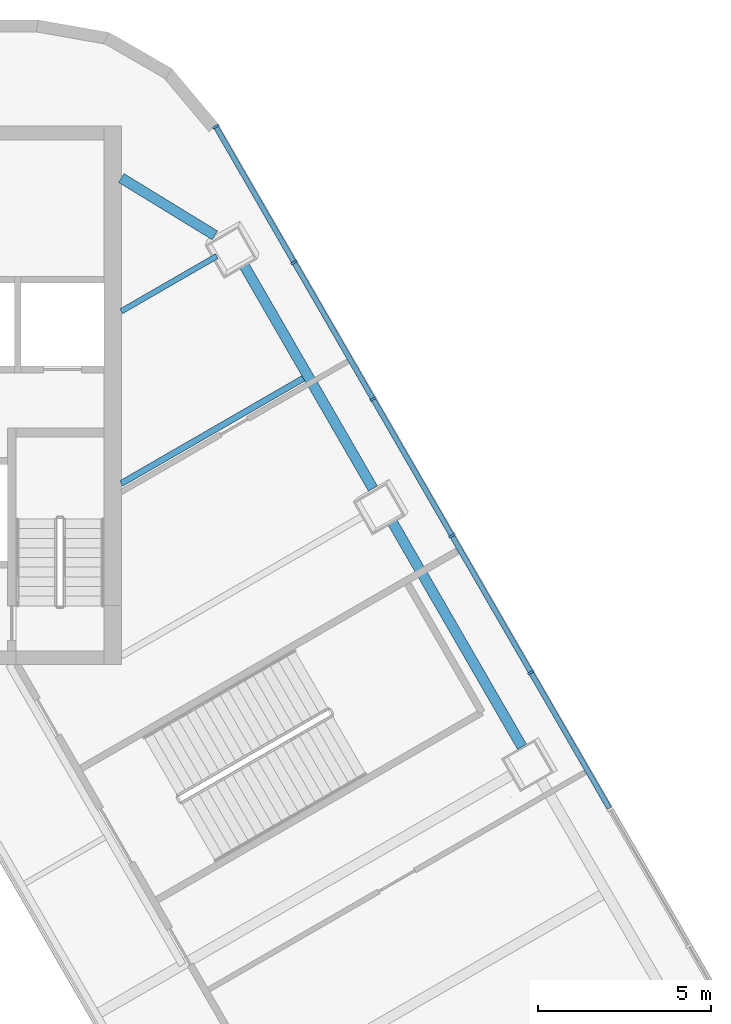
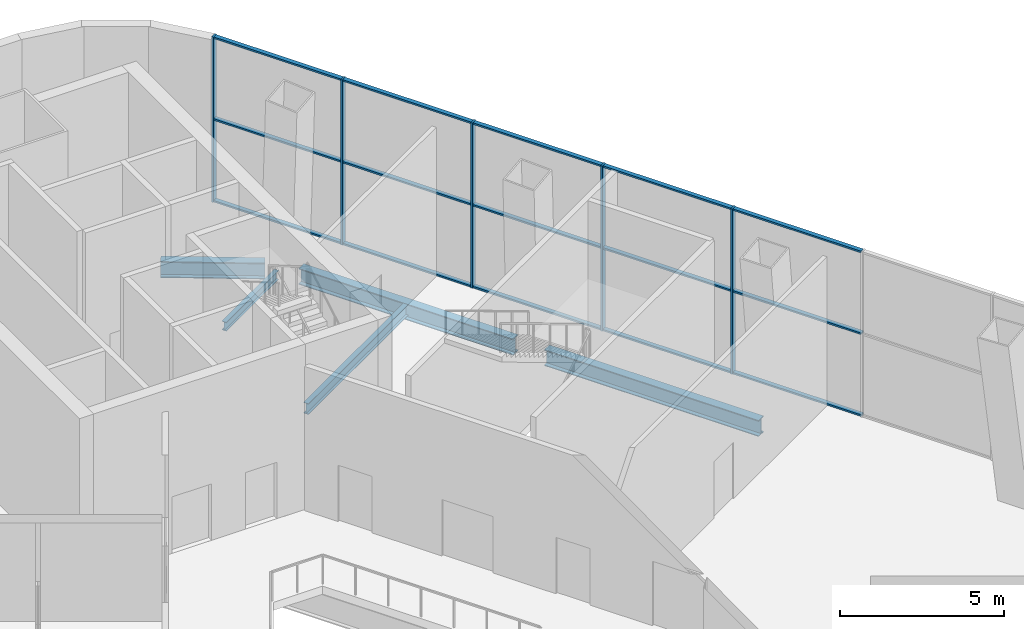
# One storey, part 8 of 17: 20 members, 5 beams, 1 element without a shape of its own.
"""IFC4 building model written with IfcOpenShell, lengths in metres."""

from ifc_helpers import new_model, si_unit, direction, frame, origin, origin_2d, place, context, subcontext, project, spatial, rectangle, i_section, extrude, material, layer, layer_set, material_profile, profile_set, type_object, element, aggregate, save


model = new_model("IFC4")

# Units and contexts
model_context = context("Model", 3, precision=1e-05, world=origin(), true_north=direction((0.0, 1.0)))
body_context = subcontext(model_context, "Body", "Model", "MODEL_VIEW")
ifc_project = project(units=[si_unit("LENGTHUNIT", "METRE"), si_unit("AREAUNIT", "SQUARE_METRE"), si_unit("VOLUMEUNIT", "CUBIC_METRE"), si_unit("PLANEANGLEUNIT", "RADIAN"), si_unit("MASSUNIT", "GRAM", prefix="KILO")], contexts=[model_context])

# Site, building, storey
site_placement = place(None, origin())
site = spatial("IfcSite", under=ifc_project, at=site_placement, CompositionType="ELEMENT")
building_placement = place(site_placement, origin())
building = spatial("IfcBuilding", under=site, at=building_placement, Name="Apuvela Tower Hotel", CompositionType="ELEMENT")
storey_placement = place(building_placement, frame((0.0, 0.0, 9.0)))
storey = spatial("IfcBuildingStorey", under=building, at=storey_placement, Name="L01", CompositionType="ELEMENT", Elevation=9.0)

# Curtain wall, members
ifc_material_1 = material(Name="Aluminium 6063-T6, dark bronze anodised", Category="aluminium")
ifc_layer = layer(ifc_material_1, 0.199951171875)
ifc_layer_set = layer_set([ifc_layer], Name="ENV-CW-P")
curtain_wall_type = type_object("IfcCurtainWallType", Name="ENV-CW-P", PredefinedType="NOTDEFINED", material=ifc_layer_set)
curtain_wall_placement = place(storey_placement, origin())
curtain_wall = element("IfcCurtainWall", 1, at=curtain_wall_placement, inside=storey, type_object=curtain_wall_type, Name="Curtain wall CW-P NE L01", PredefinedType="NOTDEFINED")
ifc_material_profile_1 = material_profile(ifc_material_1, rectangle(XDim=0.199951171875, YDim=0.06494140625, at=origin_2d()), Name="AL 65x200")
ifc_profile_set_1 = profile_set([ifc_material_profile_1], Name="Aluminium 6063-T6, dark bronze anodised")
member_type_1 = type_object("IfcMemberType", Name="ENV-MULLION-65x200", PredefinedType="MULLION", material=ifc_profile_set_1)
member_1_placement = place(storey_placement, frame((17.370361328125, 12.670166015625, 0.0), z_axis=(0.0, 0.0, 1.0), x_axis=(-0.866025428062, -0.49999995795, 0.0)))
member_1 = element("IfcMember", 2, at=member_1_placement, type_object=member_type_1, Name="CW-P mullion 6", PredefinedType="MULLION", context=body_context, shape_type="SweptSolid", body=[
    extrude(rectangle(XDim=0.199951171875, YDim=0.06494140625, at=origin_2d()), origin(), (0.0, 0.0, 1.0), 6.14990234375),
])
member_2_placement = place(storey_placement, frame((15.0830078125, 16.63232421875, 0.0), z_axis=(0.0, 0.0, 1.0), x_axis=(-0.866025428062, -0.49999995795, 0.0)))
member_2 = element("IfcMember", 3, at=member_2_placement, type_object=member_type_1, Name="CW-P mullion 7", PredefinedType="MULLION", context=body_context, shape_type="SweptSolid", body=[
    extrude(rectangle(XDim=0.199951171875, YDim=0.06494140625, at=origin_2d()), origin(), (0.0, 0.0, 1.0), 6.14990234375),
])
member_3_placement = place(storey_placement, frame((12.79541015625, 20.594482421875, 0.0), z_axis=(0.0, 0.0, 1.0), x_axis=(-0.866025428062, -0.49999995795, 0.0)))
member_3 = element("IfcMember", 4, at=member_3_placement, type_object=member_type_1, Name="CW-P mullion 8", PredefinedType="MULLION", context=body_context, shape_type="SweptSolid", body=[
    extrude(rectangle(XDim=0.199951171875, YDim=0.06494140625, at=origin_2d()), origin(), (0.0, 0.0, 1.0), 6.14990234375),
])
member_4_placement = place(storey_placement, frame((10.5078125, 24.556396484375, 0.0), z_axis=(0.0, 0.0, 1.0), x_axis=(-0.866025428062, -0.49999995795, 0.0)))
member_4 = element("IfcMember", 5, at=member_4_placement, type_object=member_type_1, Name="CW-P mullion 9", PredefinedType="MULLION", context=body_context, shape_type="SweptSolid", body=[
    extrude(rectangle(XDim=0.199951171875, YDim=0.06494140625, at=origin_2d()), origin(), (0.0, 0.0, 1.0), 6.14990234375),
])
member_5_placement = place(storey_placement, frame((8.236572265625, 28.490234375, 0.0), z_axis=(0.0, 0.0, 1.0), x_axis=(-0.866025428062, -0.49999995795, 0.0)))
member_5 = element("IfcMember", 6, at=member_5_placement, type_object=member_type_1, Name="CW-P mullion 10", PredefinedType="MULLION", context=body_context, shape_type="SweptSolid", body=[
    extrude(rectangle(XDim=0.199951171875, YDim=0.06494140625, at=origin_2d()), origin(), (0.0, 0.0, 1.0), 6.14990234375),
])
ifc_material_profile_2 = material_profile(ifc_material_1, rectangle(XDim=0.14990234375, YDim=0.06494140625, at=origin_2d()), Name="AL 65x150 transom")
ifc_profile_set_2 = profile_set([ifc_material_profile_2], Name="Aluminium 6063-T6, dark bronze anodised")
member_type_2 = type_object("IfcMemberType", Name="ENV-TRANSOM-65x150", PredefinedType="USERDEFINED", material=ifc_profile_set_2)
member_6_placement = place(storey_placement, frame((19.6416015625, 8.736328125, 0.032470703125), z_axis=(-0.499981745636, 0.86603594269, 0.0), x_axis=(-0.86603594269, -0.499981745636, 0.0)))
member_6 = element("IfcMember", 7, at=member_6_placement, type_object=member_type_2, Name="CW-P transom 5.1", ObjectType="TRANSOM", PredefinedType="USERDEFINED", context=body_context, shape_type="SweptSolid", body=[
    extrude(rectangle(XDim=0.14990234375, YDim=0.06494140625, at=origin_2d()), origin(), (0.0, 0.0, 1.0), 4.510009765625),
])
member_7_placement = place(storey_placement, frame((19.6416015625, 8.736328125, 3.074951171875), z_axis=(-0.499981745636, 0.86603594269, 0.0), x_axis=(-0.86603594269, -0.499981745636, 0.0)))
member_7 = element("IfcMember", 8, at=member_7_placement, type_object=member_type_2, Name="CW-P transom 5.2", ObjectType="TRANSOM", PredefinedType="USERDEFINED", context=body_context, shape_type="SweptSolid", body=[
    extrude(rectangle(XDim=0.14990234375, YDim=0.06494140625, at=origin_2d()), origin(), (0.0, 0.0, 1.0), 4.510009765625),
])
member_8_placement = place(storey_placement, frame((19.6416015625, 8.736328125, 6.117431640625), z_axis=(-0.499981745636, 0.86603594269, 0.0), x_axis=(-0.86603594269, -0.499981745636, 0.0)))
member_8 = element("IfcMember", 9, at=member_8_placement, type_object=member_type_2, Name="CW-P transom 5.3", ObjectType="TRANSOM", PredefinedType="USERDEFINED", context=body_context, shape_type="SweptSolid", body=[
    extrude(rectangle(XDim=0.14990234375, YDim=0.06494140625, at=origin_2d()), origin(), (0.0, 0.0, 1.0), 4.510009765625),
])
member_9_placement = place(storey_placement, frame((17.354248046875, 12.698486328125, 0.032470703125), z_axis=(-0.500022345486, 0.866012502228, 0.0), x_axis=(-0.866012502228, -0.500022345486, 0.0)))
member_9 = element("IfcMember", 10, at=member_9_placement, type_object=member_type_2, Name="CW-P transom 6.1", ObjectType="TRANSOM", PredefinedType="USERDEFINED", context=body_context, shape_type="SweptSolid", body=[
    extrude(rectangle(XDim=0.14990234375, YDim=0.06494140625, at=origin_2d()), origin(), (0.0, 0.0, 1.0), 4.510009765625),
])
member_10_placement = place(storey_placement, frame((17.354248046875, 12.698486328125, 3.074951171875), z_axis=(-0.500022345486, 0.866012502228, 0.0), x_axis=(-0.866012502228, -0.500022345486, 0.0)))
member_10 = element("IfcMember", 11, at=member_10_placement, type_object=member_type_2, Name="CW-P transom 6.2", ObjectType="TRANSOM", PredefinedType="USERDEFINED", context=body_context, shape_type="SweptSolid", body=[
    extrude(rectangle(XDim=0.14990234375, YDim=0.06494140625, at=origin_2d()), origin(), (0.0, 0.0, 1.0), 4.510009765625),
])
member_11_placement = place(storey_placement, frame((17.354248046875, 12.698486328125, 6.117431640625), z_axis=(-0.500022345486, 0.866012502228, 0.0), x_axis=(-0.866012502228, -0.500022345486, 0.0)))
member_11 = element("IfcMember", 12, at=member_11_placement, type_object=member_type_2, Name="CW-P transom 6.3", ObjectType="TRANSOM", PredefinedType="USERDEFINED", context=body_context, shape_type="SweptSolid", body=[
    extrude(rectangle(XDim=0.14990234375, YDim=0.06494140625, at=origin_2d()), origin(), (0.0, 0.0, 1.0), 4.510009765625),
])
member_12_placement = place(storey_placement, frame((15.066650390625, 16.660400390625, 0.032470703125), z_axis=(-0.499981745636, 0.86603594269, 0.0), x_axis=(-0.86603594269, -0.499981745636, 0.0)))
member_12 = element("IfcMember", 13, at=member_12_placement, type_object=member_type_2, Name="CW-P transom 7.1", ObjectType="TRANSOM", PredefinedType="USERDEFINED", context=body_context, shape_type="SweptSolid", body=[
    extrude(rectangle(XDim=0.14990234375, YDim=0.06494140625, at=origin_2d()), origin(), (0.0, 0.0, 1.0), 4.510009765625),
])
member_13_placement = place(storey_placement, frame((15.066650390625, 16.660400390625, 3.074951171875), z_axis=(-0.499981745636, 0.86603594269, 0.0), x_axis=(-0.86603594269, -0.499981745636, 0.0)))
member_13 = element("IfcMember", 14, at=member_13_placement, type_object=member_type_2, Name="CW-P transom 7.2", ObjectType="TRANSOM", PredefinedType="USERDEFINED", context=body_context, shape_type="SweptSolid", body=[
    extrude(rectangle(XDim=0.14990234375, YDim=0.06494140625, at=origin_2d()), origin(), (0.0, 0.0, 1.0), 4.510009765625),
])
member_14_placement = place(storey_placement, frame((15.066650390625, 16.660400390625, 6.117431640625), z_axis=(-0.499981745636, 0.86603594269, 0.0), x_axis=(-0.86603594269, -0.499981745636, 0.0)))
member_14 = element("IfcMember", 15, at=member_14_placement, type_object=member_type_2, Name="CW-P transom 7.3", ObjectType="TRANSOM", PredefinedType="USERDEFINED", context=body_context, shape_type="SweptSolid", body=[
    extrude(rectangle(XDim=0.14990234375, YDim=0.06494140625, at=origin_2d()), origin(), (0.0, 0.0, 1.0), 4.510009765625),
])
member_15_placement = place(storey_placement, frame((12.779052734375, 20.62255859375, 0.032470703125), z_axis=(-0.499981745636, 0.86603594269, 0.0), x_axis=(-0.86603594269, -0.499981745636, 0.0)))
member_15 = element("IfcMember", 16, at=member_15_placement, type_object=member_type_2, Name="CW-P transom 8.1", ObjectType="TRANSOM", PredefinedType="USERDEFINED", context=body_context, shape_type="SweptSolid", body=[
    extrude(rectangle(XDim=0.14990234375, YDim=0.06494140625, at=origin_2d()), origin(), (0.0, 0.0, 1.0), 4.510009765625),
])
member_16_placement = place(storey_placement, frame((12.779052734375, 20.62255859375, 3.074951171875), z_axis=(-0.499981745636, 0.86603594269, 0.0), x_axis=(-0.86603594269, -0.499981745636, 0.0)))
member_16 = element("IfcMember", 17, at=member_16_placement, type_object=member_type_2, Name="CW-P transom 8.2", ObjectType="TRANSOM", PredefinedType="USERDEFINED", context=body_context, shape_type="SweptSolid", body=[
    extrude(rectangle(XDim=0.14990234375, YDim=0.06494140625, at=origin_2d()), origin(), (0.0, 0.0, 1.0), 4.510009765625),
])
member_17_placement = place(storey_placement, frame((12.779052734375, 20.62255859375, 6.117431640625), z_axis=(-0.499981745636, 0.86603594269, 0.0), x_axis=(-0.86603594269, -0.499981745636, 0.0)))
member_17 = element("IfcMember", 18, at=member_17_placement, type_object=member_type_2, Name="CW-P transom 8.3", ObjectType="TRANSOM", PredefinedType="USERDEFINED", context=body_context, shape_type="SweptSolid", body=[
    extrude(rectangle(XDim=0.14990234375, YDim=0.06494140625, at=origin_2d()), origin(), (0.0, 0.0, 1.0), 4.510009765625),
])
member_18_placement = place(storey_placement, frame((10.49169921875, 24.58447265625, 0.032470703125), z_axis=(-0.499997778408, 0.866026686418, 0.0), x_axis=(-0.866026686418, -0.499997778408, 0.0)))
member_18 = element("IfcMember", 19, at=member_18_placement, type_object=member_type_2, Name="CW-P transom 9.1", ObjectType="TRANSOM", PredefinedType="USERDEFINED", context=body_context, shape_type="SweptSolid", body=[
    extrude(rectangle(XDim=0.14990234375, YDim=0.06494140625, at=origin_2d()), origin(), (0.0, 0.0, 1.0), 4.4775390625),
])
member_19_placement = place(storey_placement, frame((10.49169921875, 24.58447265625, 3.074951171875), z_axis=(-0.499997778408, 0.866026686418, 0.0), x_axis=(-0.866026686418, -0.499997778408, 0.0)))
member_19 = element("IfcMember", 20, at=member_19_placement, type_object=member_type_2, Name="CW-P transom 9.2", ObjectType="TRANSOM", PredefinedType="USERDEFINED", context=body_context, shape_type="SweptSolid", body=[
    extrude(rectangle(XDim=0.14990234375, YDim=0.06494140625, at=origin_2d()), origin(), (0.0, 0.0, 1.0), 4.4775390625),
])
member_20_placement = place(storey_placement, frame((10.49169921875, 24.58447265625, 6.117431640625), z_axis=(-0.499997778408, 0.866026686418, 0.0), x_axis=(-0.866026686418, -0.499997778408, 0.0)))
member_20 = element("IfcMember", 21, at=member_20_placement, type_object=member_type_2, Name="CW-P transom 9.3", ObjectType="TRANSOM", PredefinedType="USERDEFINED", context=body_context, shape_type="SweptSolid", body=[
    extrude(rectangle(XDim=0.14990234375, YDim=0.06494140625, at=origin_2d()), origin(), (0.0, 0.0, 1.0), 4.4775390625),
])
aggregate(curtain_wall, [member_1, member_2, member_3, member_4, member_5, member_6, member_7, member_8, member_9, member_10, member_11, member_12, member_13, member_14, member_15, member_16, member_17, member_18, member_19, member_20])

# Beams
ifc_material_2 = material(Name="Steel S355", Category="steel")
ifc_material_profile_3 = material_profile(ifc_material_2, i_section(OverallWidth=0.159912109375, OverallDepth=0.330078125, WebThickness=0.007568359375, FlangeThickness=0.011474609375, at=origin_2d()), Name="IPE 330")
ifc_profile_set_3 = profile_set([ifc_material_profile_3], Name="Steel S355")
beam_type_1 = type_object("IfcBeamType", Name="STR-B floor beam IPE 330", PredefinedType="BEAM", material=ifc_profile_set_3)
beam_1_placement = place(storey_placement, frame((8.268310546875, 24.735595703125, -0.465087890625), z_axis=(-0.866044409959, -0.499967078895, 0.0), x_axis=(0.499967078895, -0.866044409959, 0.0)))
element("IfcBeam", 22, at=beam_1_placement, inside=storey, type_object=beam_type_1, Name="Floor beam B1 NE9", PredefinedType="BEAM", context=body_context, shape_type="SweptSolid", body=[
    extrude(i_section(OverallWidth=0.159912109375, OverallDepth=0.330078125, WebThickness=0.007568359375, FlangeThickness=0.011474609375, at=origin_2d()), origin(), (0.0, 0.0, 1.0), 3.196533203125),
])
ifc_material_profile_4 = material_profile(ifc_material_2, i_section(OverallWidth=0.179931640625, OverallDepth=0.39990234375, WebThickness=0.008544921875, FlangeThickness=0.013427734375, at=origin_2d()), Name="IPE 400")
ifc_profile_set_4 = profile_set([ifc_material_profile_4], Name="Steel S355")
beam_type_2 = type_object("IfcBeamType", Name="STR-B floor beam IPE 400", PredefinedType="BEAM", material=ifc_profile_set_4)
beam_2_placement = place(storey_placement, frame((10.775390625, 21.19287109375, -0.5), z_axis=(-0.866014723935, -0.500018497585, 0.0), x_axis=(0.500018497585, -0.866014723935, 0.0)))
element("IfcBeam", 23, at=beam_2_placement, inside=storey, type_object=beam_type_2, Name="Floor beam B2 NE8", PredefinedType="BEAM", context=body_context, shape_type="SweptSolid", body=[
    extrude(i_section(OverallWidth=0.179931640625, OverallDepth=0.39990234375, WebThickness=0.008544921875, FlangeThickness=0.013427734375, at=origin_2d()), origin(), (0.0, 0.0, 1.0), 6.091552734375),
])
ifc_material_profile_5 = material_profile(ifc_material_2, i_section(OverallWidth=0.300048828125, OverallDepth=0.60009765625, WebThickness=0.015380859375, FlangeThickness=0.030029296875, at=origin_2d()), Name="HE 600 B")
ifc_profile_set_5 = profile_set([ifc_material_profile_5], Name="Steel S355")
beam_type_3 = type_object("IfcBeamType", Name="STR-SB spandrel beam HE 600 B", PredefinedType="SPANDREL", material=ifc_profile_set_5)
for number, where, z_axis, x_axis, name in (
    (24, (17.11328125, 10.515380859375, -0.60009765625), (-0.500002592159, 0.866023907196, 0.0), (-0.866023907196, -0.500002592159, 0.0), "Spandrel beam SB1 NE3"),
    (25, (12.79150390625, 18.001220703125, -0.60009765625), (-0.500002592159, 0.866023907196, 0.0), (-0.866023907196, -0.500002592159, 0.0), "Spandrel beam SB1 NE4"),
):
    element("IfcBeam", number, at=place(storey_placement, frame(where, z_axis=z_axis, x_axis=x_axis)), inside=storey, type_object=beam_type_3, Name=name, PredefinedType="SPANDREL", context=body_context, shape_type="SweptSolid", body=[
        extrude(i_section(OverallWidth=0.300048828125, OverallDepth=0.60009765625, WebThickness=0.015380859375, FlangeThickness=0.030029296875, at=origin_2d()), origin(), (0.0, 0.0, 1.0), 7.5439453125),
    ])
beam_3_placement = place(storey_placement, frame((8.2109375, 25.337890625, -0.60009765625), z_axis=(-0.852521794976, 0.522691676891, 0.0), x_axis=(-0.522691676891, -0.852521794976, 0.0)))
element("IfcBeam", 26, at=beam_3_placement, inside=storey, type_object=beam_type_3, Name="Spandrel beam SB1 NE5-N", PredefinedType="SPANDREL", context=body_context, shape_type="SweptSolid", body=[
    extrude(i_section(OverallWidth=0.300048828125, OverallDepth=0.60009765625, WebThickness=0.015380859375, FlangeThickness=0.030029296875, at=origin_2d()), origin(), (0.0, 0.0, 1.0), 3.179931640625),
])

save(model, "model.ifc")
